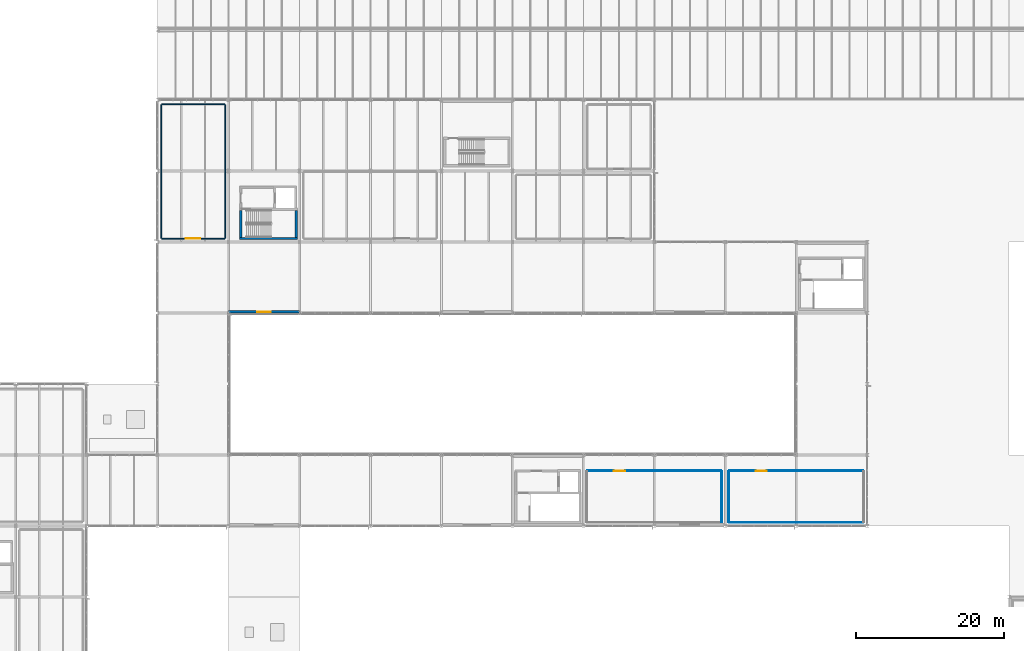
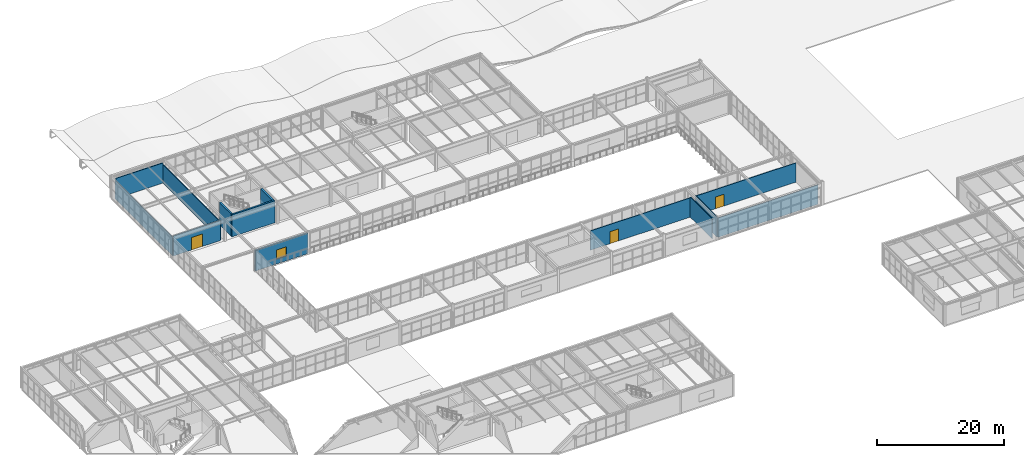
# One storey, part 153 of 170: 13 walls, 3 doors, 1 window, 4 openings.
"""IFC4 building model written with IfcOpenShell, lengths in metres."""

import ifcopenshell
import ifcopenshell.guid

model = None  # the IFC model being written
_history = None  # IfcOwnerHistory: only IFC2X3 demands one
_inside = {}  # id of a spatial element -> (the spatial element, [elements in it])
_under = {}  # id of a project, library or spatial element -> (it, [spatial elements below it])
_declared = {}  # id of a project -> (the project, [libraries it declares])
_typed = {}  # id of a type object -> (the type object, [elements of that type])
_made_of = {}  # id of a material, layer set ... -> (it, [elements and type objects made of it])


def new_model(schema):
    """Start an empty IFC model of exactly this schema.

    Asked for "IFC4X3", IfcOpenShell would pick the latest addendum, in which some entities
    have other attributes; the version numbers below select the first issue.
    IFC2X3 requires an IfcOwnerHistory on every rooted entity: one is made here for all.
    """
    global model, _history
    if schema == "IFC4X3":
        model = ifcopenshell.file(schema_version=(4, 3, 0, 0))
    else:
        model = ifcopenshell.file(schema=schema)
    _inside.clear()
    _under.clear()
    _declared.clear()
    _typed.clear()
    _made_of.clear()
    _history = None
    if model.schema == "IFC2X3":
        org = make("IfcOrganization", Name="unknown")
        user = make(
            "IfcPersonAndOrganization",
            ThePerson=make("IfcPerson", FamilyName="unknown"),
            TheOrganization=org,
        )
        app = make(
            "IfcApplication",
            ApplicationDeveloper=org,
            Version="unknown",
            ApplicationFullName="unknown",
            ApplicationIdentifier="unknown",
        )
        _history = make(
            "IfcOwnerHistory",
            OwningUser=user,
            OwningApplication=app,
            ChangeAction="ADDED",
            CreationDate=0,
        )
    return model


def make(cls, **values):
    """One entity of the class cls with the attributes given. An attribute that is None is left unset."""
    return model.create_entity(
        cls, **{name: value for name, value in values.items() if value is not None}
    )


def rooted(cls, **values):
    """An entity with a GlobalId (a new one), such as an element, a storey or a relation."""
    return make(cls, GlobalId=ifcopenshell.guid.new(), OwnerHistory=_history, **values)


def si_unit(unit_type, name, prefix=None):
    """IfcSIUnit, for example si_unit("LENGTHUNIT", "METRE", prefix="MILLI")."""
    return make("IfcSIUnit", UnitType=unit_type, Prefix=prefix, Name=name)


def assignment(units):
    """IfcUnitAssignment: the units of a project."""
    return None if units is None else make("IfcUnitAssignment", Units=units)


def point(xyz):
    """IfcCartesianPoint."""
    return None if xyz is None else make("IfcCartesianPoint", Coordinates=xyz)


def direction(xyz):
    """IfcDirection."""
    return None if xyz is None else make("IfcDirection", DirectionRatios=xyz)


def frame(location, z_axis=None, x_axis=None):
    """IfcAxis2Placement3D, a coordinate frame: its origin and axes. An axis left out is left unset."""
    return make(
        "IfcAxis2Placement3D",
        Location=point(location),
        Axis=direction(z_axis),
        RefDirection=direction(x_axis),
    )


def frame_2d(location, x_axis=None):
    """IfcAxis2Placement2D, a coordinate frame in the plane: its origin and x axis."""
    return make(
        "IfcAxis2Placement2D", Location=point(location), RefDirection=direction(x_axis)
    )


def origin():
    """The frame at (0, 0, 0) with its axes left unset."""
    return frame((0.0, 0.0, 0.0))


def place(relative_to, where):
    """IfcLocalPlacement: puts the frame where relative to a parent placement (None: the world)."""
    return make(
        "IfcLocalPlacement", PlacementRelTo=relative_to, RelativePlacement=where
    )


def context(
    kind, dimensions, precision=None, world=None, true_north=None, identifier=None
):
    """IfcGeometricRepresentationContext, for example the 3D "Model" context."""
    return make(
        "IfcGeometricRepresentationContext",
        ContextIdentifier=identifier,
        ContextType=kind,
        CoordinateSpaceDimension=dimensions,
        Precision=precision,
        WorldCoordinateSystem=world,
        TrueNorth=true_north,
    )


def subcontext(parent, identifier, kind, view, scale=None):
    """IfcGeometricRepresentationSubContext, for example "Body" below "Model"."""
    return make(
        "IfcGeometricRepresentationSubContext",
        ContextIdentifier=identifier,
        ContextType=kind,
        ParentContext=parent,
        TargetScale=scale,
        TargetView=view,
    )


def project(units=None, contexts=None):
    """IfcProject with its units and contexts."""
    return rooted(
        "IfcProject",
        Name="project",
        RepresentationContexts=contexts,
        UnitsInContext=assignment(units),
    )


def spatial(cls, under=None, at=None, **own):
    """A site, building, storey or space (cls), placed at a placement, below another one or the project."""
    s = rooted(cls, ObjectPlacement=at, **own)
    if under is not None:
        _under.setdefault(under.id(), (under, []))[1].append(s)
    return s


def profile(cls, at=None, kind="AREA", **sizes):
    """A parametric profile (cls). Its sizes go by their IFC names, for example OverallWidth=200.0."""
    return make(cls, ProfileType=kind, Position=at, **sizes)


def rectangle(**sizes):
    """IfcRectangleProfileDef."""
    return profile("IfcRectangleProfileDef", **sizes)


def extrude(swept, where, along, depth):
    """IfcExtrudedAreaSolid: the profile swept, set in the frame where, extruded along a direction by depth."""
    return make(
        "IfcExtrudedAreaSolid",
        SweptArea=swept,
        Position=where,
        ExtrudedDirection=direction(along),
        Depth=depth,
    )


def shape(context_of_items, identifier, shape_type, items):
    """IfcShapeRepresentation: the items that make up one representation, for example the "Body"."""
    return make(
        "IfcShapeRepresentation",
        ContextOfItems=context_of_items,
        RepresentationIdentifier=identifier,
        RepresentationType=shape_type,
        Items=items,
    )


def material(Name=None, Category=None):
    """IfcMaterial."""
    return make("IfcMaterial", Name=Name, Category=Category)


def layer(
    of_material, thickness, ventilated=None, Name=None, Category=None, Priority=None
):
    """IfcMaterialLayer: one layer of a wall or slab, of a material (None: an air gap)."""
    return make(
        "IfcMaterialLayer",
        Material=of_material,
        LayerThickness=thickness,
        IsVentilated=ventilated,
        Name=Name,
        Category=Category,
        Priority=Priority,
    )


def layer_set(layers, Name=None):
    """IfcMaterialLayerSet."""
    return make("IfcMaterialLayerSet", MaterialLayers=layers, LayerSetName=Name)


def made_of(thing, what):
    """Note that an element or type object is made of a material, layer set ...; save() writes the relation."""
    if what is not None:
        _made_of.setdefault(what.id(), (what, []))[1].append(thing)
    return thing


def type_object(cls, material=None, **own):
    """A type object (cls), such as IfcWallType, which elements share."""
    return made_of(rooted(cls, **own), material)


def element(
    cls,
    number,
    at=None,
    inside=None,
    cuts=None,
    type_object=None,
    material=None,
    context=None,
    identifier="Body",
    shape_type=None,
    held_by="IfcProductDefinitionShape",
    body=None,
    shapes=None,
    **own,
):
    """One element of the class cls, such as IfcWall. Its Tag is "e" and its number.

    at: its placement. inside: the storey or other place that contains it. cuts: it is an
    opening in that element (IfcRelVoidsElement). A single representation is given by context,
    identifier, shape_type and body (its items); several are given by shapes. held_by: the class
    of the entity that holds the representations. save() writes the other relations.
    """
    e = rooted(cls, Tag="e%d" % number, ObjectPlacement=at, **own)
    if body is not None:
        shapes = [shape(context, identifier, shape_type, body)]
    if shapes is not None:
        e.Representation = make(held_by, Representations=shapes)
    if inside is not None:
        _inside.setdefault(inside.id(), (inside, []))[1].append(e)
    if cuts is not None:
        rooted(
            "IfcRelVoidsElement", RelatingBuildingElement=cuts, RelatedOpeningElement=e
        )
    if type_object is not None:
        _typed.setdefault(type_object.id(), (type_object, []))[1].append(e)
    return made_of(e, material)


def fill(opening, filler):
    """IfcRelFillsElement: the door or window that sits in an opening."""
    return rooted(
        "IfcRelFillsElement",
        RelatingOpeningElement=opening,
        RelatedBuildingElement=filler,
    )


def aggregate(whole, parts):
    """IfcRelAggregates: a whole, such as a stair, and the parts it consists of."""
    return rooted("IfcRelAggregates", RelatingObject=whole, RelatedObjects=parts)


def save(model, path):
    """Write the relations noted so far, then the file.

    IfcRelAggregates (storeys below a building ...), IfcRelContainedInSpatialStructure (elements
    in a storey), IfcRelDefinesByType, IfcRelAssociatesMaterial and IfcRelDeclares: one each for
    every whole, place, type object, material and project.
    """
    for whole, parts in _under.values():
        aggregate(whole, parts)
    for where, things in _inside.values():
        rooted(
            "IfcRelContainedInSpatialStructure",
            RelatedElements=things,
            RelatingStructure=where,
        )
    for kind, things in _typed.values():
        rooted("IfcRelDefinesByType", RelatedObjects=things, RelatingType=kind)
    for what, things in _made_of.values():
        rooted("IfcRelAssociatesMaterial", RelatedObjects=things, RelatingMaterial=what)
    for by, libraries in _declared.values():
        rooted("IfcRelDeclares", RelatingContext=by, RelatedDefinitions=libraries)
    model.write(path)


model = new_model("IFC4")

# Units and contexts
model_context = context("Model", 3, precision=1e-05, world=origin(), true_north=direction((0.0, 1.0)))
body_context = subcontext(model_context, "Body", "Model", "MODEL_VIEW")
ifc_project = project(units=[si_unit("LENGTHUNIT", "METRE"), si_unit("AREAUNIT", "SQUARE_METRE"), si_unit("VOLUMEUNIT", "CUBIC_METRE"), si_unit("PLANEANGLEUNIT", "RADIAN"), si_unit("MASSUNIT", "GRAM", prefix="KILO")], contexts=[model_context])

# Site, building, storey
site_placement = place(None, origin())
site = spatial("IfcSite", under=ifc_project, at=site_placement, CompositionType="ELEMENT")
building_placement = place(site_placement, origin())
building = spatial("IfcBuilding", under=site, at=building_placement, Name="Coralgate Yard Interchange", CompositionType="ELEMENT")
storey_placement = place(building_placement, frame((0.0, 0.0, 6.0)))
storey = spatial("IfcBuildingStorey", under=building, at=storey_placement, Name="L01", CompositionType="ELEMENT", Elevation=6.0)

# Walls
ifc_material_1 = material(Name="Concrete C40/50", Category="concrete")
ifc_layer_1 = layer(ifc_material_1, 0.300048828125)
ifc_layer_set_1 = layer_set([ifc_layer_1], Name="Concrete C40/50")
wall_type_1 = type_object("IfcWallType", Name="WAL-CW300", PredefinedType="SHEAR", material=ifc_layer_set_1)
wall_1_placement = place(storey_placement, frame((49.5, 77.300048828125, 0.0), z_axis=(0.0, 0.0, 1.0), x_axis=(1.0, 0.0, 0.0)))
element("IfcWall", 1, at=wall_1_placement, inside=storey, type_object=wall_type_1, Name="C5 L01 stair south shear wall", PredefinedType="SHEAR", context=body_context, shape_type="SweptSolid", body=[
    extrude(rectangle(XDim=7.800048828125, YDim=0.300048828125, at=frame_2d((3.89990234375, 0.0))), origin(), (0.0, 0.0, 1.0), 4.25),
])
for number, where, z_axis, x_axis, name in (
    (2, (49.64990234375, 77.449951171875, 0.0), (0.0, 0.0, 1.0), (0.0, 1.0, 0.0), "C5 L01 stair west shear wall"),
    (3, (57.14990234375, 81.10009765625, 0.0), (0.0, 0.0, 1.0), (0.0, -1.0, 0.0), "C5 L01 stair east shear wall"),
):
    element("IfcWall", number, at=place(storey_placement, frame(where, z_axis=z_axis, x_axis=x_axis)), inside=storey, type_object=wall_type_1, Name=name, PredefinedType="SHEAR", context=body_context, shape_type="SweptSolid", body=[
        extrude(rectangle(XDim=3.650146484375, YDim=0.300048828125, at=frame_2d((1.8251953125, 0.0))), origin(), (0.0, 0.0, 1.0), 4.25),
    ])

# Wall, opening, window
ifc_material_2 = material(Name="Precast concrete C40/50", Category="concrete")
ifc_layer_2 = layer(ifc_material_2, 0.320068359375)
ifc_layer_set_2 = layer_set([ifc_layer_2], Name="Precast concrete C40/50")
wall_type_2 = type_object("IfcWallType", Name="WAL-EW-320", PredefinedType="SOLIDWALL", material=ifc_layer_set_2)
wall_2_placement = place(storey_placement, frame((57.580078125, 67.360107421875, 0.0), z_axis=(0.0, 0.0, 1.0), x_axis=(-1.0, 0.0, 0.0)))
wall_2 = element("IfcWall", 4, at=wall_2_placement, inside=storey, type_object=wall_type_2, Name="L01 exterior coastal wall S 5-7", PredefinedType="SOLIDWALL", context=body_context, shape_type="SweptSolid", body=[
    extrude(rectangle(XDim=9.56005859375, YDim=0.320068359375, at=frame_2d((4.780029296875, 0.0))), origin(), (0.0, 0.0, 1.0), 3.89990234375),
])
opening_1_placement = place(wall_2_placement, frame((3.8798828125, 0.0, 0.89990234375)))
opening_1 = element("IfcOpeningElement", 5, at=opening_1_placement, cuts=wall_2, Name="Opening W-04", PredefinedType="OPENING", context=body_context, shape_type="SweptSolid", body=[
    extrude(rectangle(XDim=1.800048828125, YDim=1.800048828125, at=frame_2d((0.89990234375, 0.89990234375))), frame((0.0, 0.169921875, 0.0), z_axis=(0.0, -1.0, 0.0), x_axis=(1.0, 0.0, 0.0)), (0.0, 0.0, 1.0), 0.340087890625),
])
ifc_material_3 = material(Name="Thermally broken anodised aluminium and solar-control low-E glass", Category="aluminium")
window_type = type_object("IfcWindowType", Name="WIN-W-04", PartitioningType="SINGLE_PANEL", PredefinedType="WINDOW", material=ifc_material_3)
window_placement = place(opening_1_placement, origin())
window = element("IfcWindow", 6, at=window_placement, inside=storey, type_object=window_type, Name="L01 coastal facade window S-5-7", OverallHeight=1.800048828125, OverallWidth=1.800048828125, PartitioningType="SINGLE_PANEL", PredefinedType="WINDOW", context=body_context, shape_type="SweptSolid", body=[
    extrude(rectangle(XDim=1.800048828125, YDim=1.800048828125, at=frame_2d((0.89990234375, 0.89990234375))), frame((0.0, 0.030029296875, 0.0), z_axis=(0.0, -1.0, 0.0), x_axis=(1.0, 0.0, 0.0)), (0.0, 0.0, 1.0), 0.06005859375),
])
fill(opening_1, window)

# Wall, opening, door
ifc_material_4 = material(Name="Lightweight steel-stud retail partition", Category="steel")
ifc_layer_3 = layer(ifc_material_4, 0.1201171875)
ifc_layer_set_3 = layer_set([ifc_layer_3], Name="Lightweight steel-stud retail partition")
wall_type_3 = type_object("IfcWallType", Name="WAL-PW-120", PredefinedType="PARTITIONING", material=ifc_layer_set_3)
wall_3_placement = place(storey_placement, frame((96.52001953125, 45.840087890625, 0.0), z_axis=(0.0, 0.0, 1.0), x_axis=(1.0, 0.0, 0.0)))
wall_3 = element("IfcWall", 7, at=wall_3_placement, inside=storey, type_object=wall_type_3, Name="Mezzanine Concourse Retail 05 partition N", PredefinedType="PARTITIONING", context=body_context, shape_type="SweptSolid", body=[
    extrude(rectangle(XDim=18.159912109375, YDim=0.1201171875, at=frame_2d((9.080078125, 0.0))), origin(), (0.0, 0.0, 1.0), 3.706787109375),
])
opening_2_placement = place(wall_3_placement, frame((3.60009765625, 0.0, 0.0)))
opening_2 = element("IfcOpeningElement", 8, at=opening_2_placement, cuts=wall_3, Name="Opening ID-19", PredefinedType="OPENING", context=body_context, shape_type="SweptSolid", body=[
    extrude(rectangle(XDim=1.550048828125, YDim=2.300048828125, at=frame_2d((0.77490234375, 1.14990234375))), frame((0.0, 0.070068359375, 0.0), z_axis=(0.0, -1.0, 0.0), x_axis=(1.0, 0.0, 0.0)), (0.0, 0.0, 1.0), 0.14013671875),
])
ifc_material_5 = material(Name="Glazed mezzanine retail double door")
door_type_1 = type_object("IfcDoorType", Name="DOR-ID-19", OperationType="NOTDEFINED", PredefinedType="DOOR", material=ifc_material_5)
door_1_placement = place(opening_2_placement, frame((1.550048828125, 0.0, 0.0), z_axis=(0.0, 0.0, 1.0), x_axis=(-1.0, 0.0, 0.0)))
door_1 = element("IfcDoor", 9, at=door_1_placement, inside=storey, type_object=door_type_1, Name="Mezzanine Concourse Retail 05 door", OperationType="DOUBLE_DOOR_SINGLE_SWING", OverallHeight=2.300048828125, OverallWidth=1.550048828125, PredefinedType="DOOR", context=body_context, shape_type="SweptSolid", body=[
    extrude(rectangle(XDim=1.550048828125, YDim=2.300048828125, at=frame_2d((0.77490234375, 1.14990234375))), frame((0.0, 0.02490234375, 0.0), z_axis=(0.0, -1.0, 0.0), x_axis=(1.0, 0.0, 0.0)), (0.0, 0.0, 1.0), 0.050048828125),
])
fill(opening_2, door_1)

# Walls
wall_4_placement = place(storey_placement, frame((114.739990234375, 45.780029296875, 0.0), z_axis=(0.0, 0.0, 1.0), x_axis=(0.0, -1.0, 0.0)))
element("IfcWall", 10, at=wall_4_placement, inside=storey, type_object=wall_type_3, Name="Mezzanine Concourse Retail 05 partition E", PredefinedType="PARTITIONING", context=body_context, shape_type="SweptSolid", body=[
    extrude(rectangle(XDim=6.860107421875, YDim=0.1201171875, at=frame_2d((3.43017578125, 0.0))), origin(), (0.0, 0.0, 1.0), 3.889892578125),
])
wall_5_placement = place(storey_placement, frame((133.8798828125, 38.860107421875, 0.0), z_axis=(0.0, 0.0, 1.0), x_axis=(-1.0, 0.0, 0.0)))
element("IfcWall", 11, at=wall_5_placement, inside=storey, type_object=wall_type_3, Name="Mezzanine Travel Lounge Retail 06 partition S", PredefinedType="PARTITIONING", context=body_context, shape_type="SweptSolid", body=[
    extrude(rectangle(XDim=18.159912109375, YDim=0.1201171875, at=frame_2d((9.080078125, 0.0))), origin(), (0.0, 0.0, 1.0), 3.706787109375),
])

# Wall, opening, door
wall_6_placement = place(storey_placement, frame((115.719970703125, 45.840087890625, 0.0), z_axis=(0.0, 0.0, 1.0), x_axis=(1.0, 0.0, 0.0)))
wall_6 = element("IfcWall", 12, at=wall_6_placement, inside=storey, type_object=wall_type_3, Name="Mezzanine Travel Lounge Retail 06 partition N", PredefinedType="PARTITIONING", context=body_context, shape_type="SweptSolid", body=[
    extrude(rectangle(XDim=18.159912109375, YDim=0.1201171875, at=frame_2d((9.080078125, 0.0))), origin(), (0.0, 0.0, 1.0), 3.706787109375),
])
opening_3_placement = place(wall_6_placement, frame((3.60009765625, 0.0, 0.0)))
opening_3 = element("IfcOpeningElement", 13, at=opening_3_placement, cuts=wall_6, Name="Opening ID-06", PredefinedType="OPENING", context=body_context, shape_type="SweptSolid", body=[
    extrude(rectangle(XDim=1.5, YDim=2.25, at=frame_2d((0.75, 1.125))), frame((0.0, 0.070068359375, 0.0), z_axis=(0.0, -1.0, 0.0), x_axis=(1.0, 0.0, 0.0)), (0.0, 0.0, 1.0), 0.14013671875),
])
ifc_material_6 = material(Name="Glazed aluminium retail and cafe double door", Category="aluminium")
door_type_2 = type_object("IfcDoorType", Name="DOR-ID-06", OperationType="NOTDEFINED", PredefinedType="DOOR", material=ifc_material_6)
door_2_placement = place(opening_3_placement, frame((1.5, 0.0, 0.0), z_axis=(0.0, 0.0, 1.0), x_axis=(-1.0, 0.0, 0.0)))
door_2 = element("IfcDoor", 14, at=door_2_placement, inside=storey, type_object=door_type_2, Name="Mezzanine Travel Lounge Retail 06 door", OperationType="DOUBLE_DOOR_SINGLE_SWING", OverallHeight=2.25, OverallWidth=1.5, PredefinedType="DOOR", context=body_context, shape_type="SweptSolid", body=[
    extrude(rectangle(XDim=1.5, YDim=2.25, at=frame_2d((0.75, 1.125))), frame((0.0, 0.02490234375, 0.0), z_axis=(0.0, -1.0, 0.0), x_axis=(1.0, 0.0, 0.0)), (0.0, 0.0, 1.0), 0.050048828125),
])
fill(opening_3, door_2)

# Wall
wall_7_placement = place(storey_placement, frame((115.659912109375, 38.919921875, 0.0), z_axis=(0.0, 0.0, 1.0), x_axis=(0.0, 1.0, 0.0)))
element("IfcWall", 15, at=wall_7_placement, inside=storey, type_object=wall_type_3, Name="Mezzanine Travel Lounge Retail 06 partition W", PredefinedType="PARTITIONING", context=body_context, shape_type="SweptSolid", body=[
    extrude(rectangle(XDim=6.860107421875, YDim=0.1201171875, at=frame_2d((3.43017578125, 0.0))), origin(), (0.0, 0.0, 1.0), 3.889892578125),
])

# Wall, opening, door
ifc_material_7 = material(Name="Acoustic twin-stud office partition")
ifc_layer_4 = layer(ifc_material_7, 0.139892578125)
ifc_layer_set_4 = layer_set([ifc_layer_4], Name="Acoustic twin-stud office partition")
wall_type_4 = type_object("IfcWallType", Name="WAL-PW-140", PredefinedType="PARTITIONING", material=ifc_layer_set_4)
wall_8_placement = place(storey_placement, frame((47.4599609375, 77.27001953125, 0.0), z_axis=(0.0, 0.0, 1.0), x_axis=(-1.0, 0.0, 0.0)))
wall_8 = element("IfcWall", 16, at=wall_8_placement, inside=storey, type_object=wall_type_4, Name="West Intermodal Transfer Waiting Lounge partition S", PredefinedType="PARTITIONING", context=body_context, shape_type="SweptSolid", body=[
    extrude(rectangle(XDim=8.52001953125, YDim=0.139892578125, at=frame_2d((4.260009765625, 0.0))), origin(), (0.0, 0.0, 1.0), 3.889892578125),
])
opening_4_placement = place(wall_8_placement, frame((3.260009765625, 0.0, 0.0)))
opening_4 = element("IfcOpeningElement", 17, at=opening_4_placement, cuts=wall_8, Name="Opening ID-09", PredefinedType="OPENING", context=body_context, shape_type="SweptSolid", body=[
    extrude(rectangle(XDim=2.0, YDim=2.39990234375, at=frame_2d((1.0, 1.199951171875))), frame((0.0, 0.079833984375, 0.0), z_axis=(0.0, -1.0, 0.0), x_axis=(1.0, 0.0, 0.0)), (0.0, 0.0, 1.0), 0.159912109375),
])
ifc_material_8 = material(Name="Glazed aluminium concourse lounge double door", Category="aluminium")
door_type_3 = type_object("IfcDoorType", Name="DOR-ID-09", OperationType="NOTDEFINED", PredefinedType="DOOR", material=ifc_material_8)
door_3_placement = place(opening_4_placement, origin())
door_3 = element("IfcDoor", 18, at=door_3_placement, inside=storey, type_object=door_type_3, Name="West Intermodal Transfer Waiting Lounge door", OperationType="DOUBLE_DOOR_SINGLE_SWING", OverallHeight=2.39990234375, OverallWidth=2.0, PredefinedType="DOOR", context=body_context, shape_type="SweptSolid", body=[
    extrude(rectangle(XDim=2.0, YDim=2.39990234375, at=frame_2d((1.0, 1.199951171875))), frame((0.0, 0.02490234375, 0.0), z_axis=(0.0, -1.0, 0.0), x_axis=(1.0, 0.0, 0.0)), (0.0, 0.0, 1.0), 0.050048828125),
])
fill(opening_4, door_3)

# Walls
wall_9_placement = place(storey_placement, frame((38.93994140625, 95.429931640625, 0.0), z_axis=(0.0, 0.0, 1.0), x_axis=(1.0, 0.0, 0.0)))
element("IfcWall", 19, at=wall_9_placement, inside=storey, type_object=wall_type_4, Name="West Intermodal Transfer Waiting Lounge partition N", PredefinedType="PARTITIONING", context=body_context, shape_type="SweptSolid", body=[
    extrude(rectangle(XDim=8.52001953125, YDim=0.139892578125, at=frame_2d((4.260009765625, 0.0))), origin(), (0.0, 0.0, 1.0), 3.889892578125),
])
for number, where, z_axis, x_axis, name in (
    (20, (38.8701171875, 77.340087890625, 0.0), (0.0, 0.0, 1.0), (0.0, 1.0, 0.0), "West Intermodal Transfer Waiting Lounge partition W"),
    (21, (47.530029296875, 95.360107421875, 0.0), (0.0, 0.0, 1.0), (0.0, -1.0, 0.0), "West Intermodal Transfer Waiting Lounge partition E"),
):
    element("IfcWall", number, at=place(storey_placement, frame(where, z_axis=z_axis, x_axis=x_axis)), inside=storey, type_object=wall_type_4, Name=name, PredefinedType="PARTITIONING", context=body_context, shape_type="SweptSolid", body=[
        extrude(rectangle(XDim=18.02001953125, YDim=0.139892578125, at=frame_2d((9.010009765625, 0.0))), origin(), (0.0, 0.0, 1.0), 3.556396484375),
    ])

save(model, "model.ifc")
